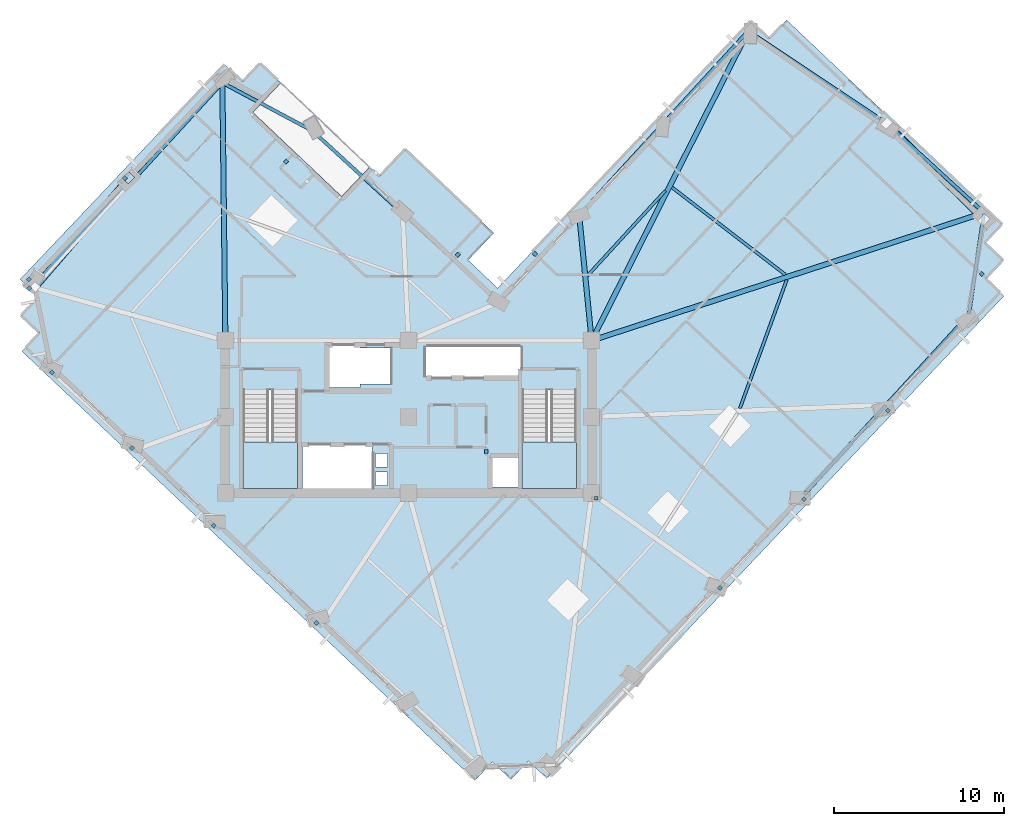
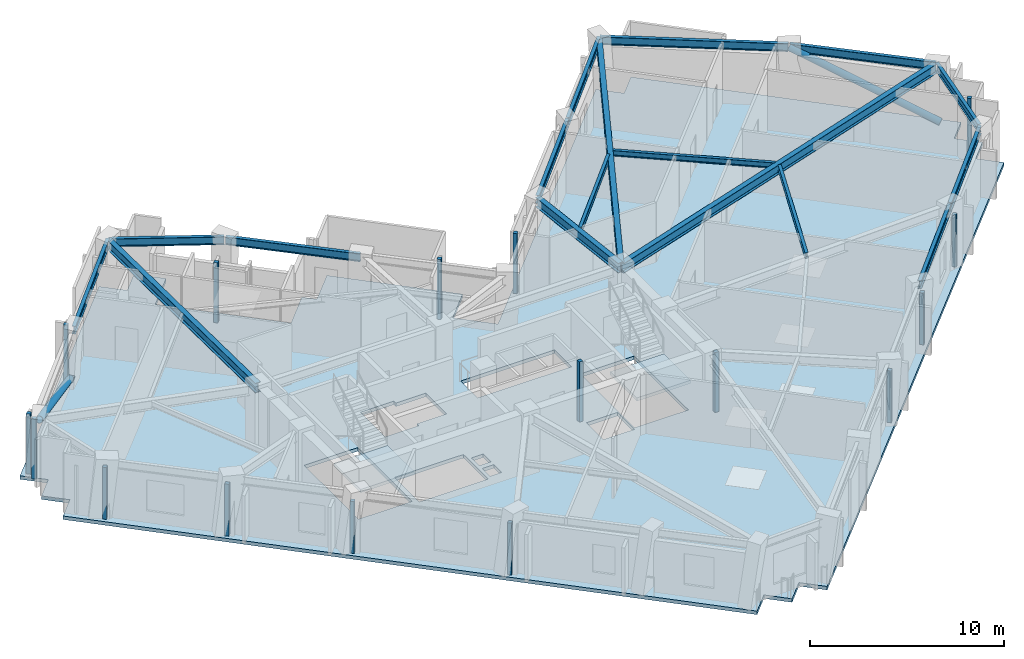
# One storey, part 2 of 12: 17 beams, 17 plates, 3 slabs, 2 members, 2 elements without a shape of their own.
"""IFC4 building model written with IfcOpenShell, lengths in metres."""

from ifc_helpers import new_model, si_unit, direction, frame, origin, origin_2d, place, context, subcontext, project, spatial, polyline, rectangle, hollow_circle, i_section, outline, extrude, material, layer, layer_set, material_profile, profile_set, type_object, element, aggregate, save


model = new_model("IFC4")

# Units and contexts
model_context = context("Model", 3, precision=1e-05, world=origin(), true_north=direction((0.0, 1.0)))
body_context = subcontext(model_context, "Body", "Model", "MODEL_VIEW")
ifc_project = project(units=[si_unit("LENGTHUNIT", "METRE"), si_unit("AREAUNIT", "SQUARE_METRE"), si_unit("VOLUMEUNIT", "CUBIC_METRE"), si_unit("PLANEANGLEUNIT", "RADIAN"), si_unit("MASSUNIT", "GRAM", prefix="KILO")], contexts=[model_context])

# Site, building, storey
site_placement = place(None, origin())
site = spatial("IfcSite", under=ifc_project, at=site_placement, CompositionType="ELEMENT")
building_placement = place(site_placement, origin())
building = spatial("IfcBuilding", under=site, at=building_placement, Name="Gaonmaruhae Medical Tower", CompositionType="ELEMENT")
storey_placement = place(building_placement, frame((0.0, 0.0, 223.199951171875)))
storey = spatial("IfcBuildingStorey", under=building, at=storey_placement, Name="L53", CompositionType="ELEMENT", Elevation=223.199951171875)

# Beams
ifc_material_1 = material(Name="Steel SM355", Category="steel")
ifc_material_profile_1 = material_profile(ifc_material_1, i_section(OverallWidth=0.175048828125, OverallDepth=0.35009765625, WebThickness=0.007080078125, FlangeThickness=0.010986328125, FilletRadius=0.012939453125, at=origin_2d()), Name="H-350x175x7x11")
ifc_profile_set_1 = profile_set([ifc_material_profile_1], Name="Steel SM355")
beam_type_1 = type_object("IfcBeamType", Name="FJ-02 Upper Zone Ward Floor Joist (H-350x175x7x11)", PredefinedType="JOIST", material=ifc_profile_set_1)
beam_1_placement = place(storey_placement, frame((44.34619140625, 12.814208984375, 3.60498046875), z_axis=(0.342453236507, 0.939534874715, 0.0), x_axis=(-0.939534874715, 0.342453236507, 0.0)))
element("IfcBeam", 1, at=beam_1_placement, inside=storey, type_object=beam_type_1, Name="L53 Secondary Floor Joist FJ03", PredefinedType="JOIST", context=body_context, shape_type="SweptSolid", body=[
    extrude(i_section(OverallWidth=0.175048828125, OverallDepth=0.35009765625, WebThickness=0.007080078125, FlangeThickness=0.010986328125, FilletRadius=0.012939453125, at=origin_2d()), origin(), (0.0, 0.0, 1.0), 8.058837890625),
])
beam_2_placement = place(storey_placement, frame((47.0244140625, 20.684814453125, 3.60498046875), z_axis=(-0.792269888643, 0.610170815059, 0.0), x_axis=(-0.610170815059, -0.792269888643, 0.0)))
element("IfcBeam", 2, at=beam_2_placement, inside=storey, type_object=beam_type_1, Name="L53 Secondary Floor Joist FJ04", PredefinedType="JOIST", context=body_context, shape_type="SweptSolid", body=[
    extrude(i_section(OverallWidth=0.175048828125, OverallDepth=0.35009765625, WebThickness=0.007080078125, FlangeThickness=0.010986328125, FilletRadius=0.012939453125, at=origin_2d()), origin(), (0.0, 0.0, 1.0), 8.435791015625),
])
beam_3_placement = place(storey_placement, frame((39.944580078125, 25.633544921875, 3.60498046875), z_axis=(-0.675587386142, -0.737279922204, 0.0), x_axis=(0.737279922204, -0.675587386142, 0.0)))
element("IfcBeam", 3, at=beam_3_placement, inside=storey, type_object=beam_type_1, Name="L53 Secondary Floor Joist FJ05", PredefinedType="JOIST", context=body_context, shape_type="SweptSolid", body=[
    extrude(i_section(OverallWidth=0.175048828125, OverallDepth=0.35009765625, WebThickness=0.007080078125, FlangeThickness=0.010986328125, FilletRadius=0.012939453125, at=origin_2d()), origin(), (0.0, 0.0, 1.0), 6.76708984375),
])

# Members
ifc_material_2 = material(Name="Steel SM420", Category="steel")
ifc_material_profile_2 = material_profile(ifc_material_2, hollow_circle(Radius=0.203125, WallThickness=0.0126953125, at=origin_2d()), Name="CHS-406.4x12.7")
ifc_profile_set_2 = profile_set([ifc_material_profile_2], Name="Steel SM420")
member_type = type_object("IfcMemberType", Name="PB-02 Perimeter Solid-Bay Tube Brace Mid (CHS-406.4x12.7)", PredefinedType="BRACE", material=ifc_profile_set_2)
member_1_placement = place(storey_placement, frame((58.735107421875, 23.923828125, 0.25), z_axis=(-0.658205722235, 0.652130149402, 0.376153553032), x_axis=(-0.703820606843, -0.710377754004, 0.0)))
element("IfcMember", 4, at=member_1_placement, inside=storey, type_object=member_type, Name="L53 Perimeter Tube Solid-Bay Brace E01-E02", PredefinedType="BRACE", context=body_context, shape_type="SweptSolid", body=[
    extrude(hollow_circle(Radius=0.203125, WallThickness=0.0126953125, at=origin_2d()), origin(), (0.0, 0.0, 1.0), 8.719970703125),
])
member_2_placement = place(storey_placement, frame((8.30419921875, 26.379150390625, 0.25), z_axis=(-0.608731032906, -0.707532268848, 0.358949325276), x_axis=(0.758051025825, -0.652195248561, 0.0)))
element("IfcMember", 5, at=member_2_placement, inside=storey, type_object=member_type, Name="L53 Perimeter Tube Solid-Bay Brace N02-N03", PredefinedType="BRACE", context=body_context, shape_type="SweptSolid", body=[
    extrude(hollow_circle(Radius=0.203125, WallThickness=0.0126953125, at=origin_2d()), origin(), (0.0, 0.0, 1.0), 9.137939453125),
])

# Beams
ifc_material_profile_3 = material_profile(ifc_material_2, i_section(OverallWidth=0.300048828125, OverallDepth=0.60009765625, WebThickness=0.011962890625, FlangeThickness=0.02001953125, FilletRadius=0.012939453125, at=origin_2d()), Name="H-600x300x12x20")
ifc_profile_set_3 = profile_set([ifc_material_profile_3], Name="Steel SM420")
beam_type_2 = type_object("IfcBeamType", Name="PG-04 Zone 4 Radial Floor Girder (H-600x300x12x20)", PredefinedType="BEAM", material=ifc_profile_set_3)
beam_4_placement = place(storey_placement, frame((35.6474609375, 16.8154296875, 3.47998046875), z_axis=(0.950814332429, 0.30976136823, 0.0), x_axis=(-0.30976136823, 0.950814332429, 0.0)))
element("IfcBeam", 6, at=beam_4_placement, inside=storey, type_object=beam_type_2, Name="L53 Radial Primary Girder E01", PredefinedType="BEAM", context=body_context, shape_type="SweptSolid", body=[
    extrude(i_section(OverallWidth=0.300048828125, OverallDepth=0.60009765625, WebThickness=0.011962890625, FlangeThickness=0.02001953125, FilletRadius=0.012939453125, at=origin_2d()), origin(), (0.0, 0.0, 1.0), 24.24365234375),
])
beam_5_placement = place(storey_placement, frame((35.62255859375, 16.8447265625, 3.47998046875), z_axis=(0.451180989153, 0.89243247085, 0.0), x_axis=(-0.89243247085, 0.451180989153, 0.0)))
element("IfcBeam", 7, at=beam_5_placement, inside=storey, type_object=beam_type_2, Name="L53 Radial Primary Girder E03", PredefinedType="BEAM", context=body_context, shape_type="SweptSolid", body=[
    extrude(i_section(OverallWidth=0.300048828125, OverallDepth=0.60009765625, WebThickness=0.011962890625, FlangeThickness=0.02001953125, FilletRadius=0.012939453125, at=origin_2d()), origin(), (0.0, 0.0, 1.0), 20.3583984375),
])
beam_6_placement = place(storey_placement, frame((35.594970703125, 16.849853515625, 3.47998046875), z_axis=(-0.098968679888, 0.995090548845, 0.0), x_axis=(-0.995090548845, -0.098968679888, 0.0)))
element("IfcBeam", 8, at=beam_6_placement, inside=storey, type_object=beam_type_2, Name="L53 Radial Primary Girder EN02", PredefinedType="BEAM", context=body_context, shape_type="SweptSolid", body=[
    extrude(i_section(OverallWidth=0.300048828125, OverallDepth=0.60009765625, WebThickness=0.011962890625, FlangeThickness=0.02001953125, FilletRadius=0.012939453125, at=origin_2d()), origin(), (0.0, 0.0, 1.0), 7.319091796875),
])
beam_7_placement = place(storey_placement, frame((13.99951171875, 16.85009765625, 3.47998046875), z_axis=(-0.011749633355, 0.999930970675, 0.0), x_axis=(-0.999930970675, -0.011749633355, 0.0)))
element("IfcBeam", 9, at=beam_7_placement, inside=storey, type_object=beam_type_2, Name="L53 Radial Primary Girder N01", PredefinedType="BEAM", context=body_context, shape_type="SweptSolid", body=[
    extrude(i_section(OverallWidth=0.300048828125, OverallDepth=0.60009765625, WebThickness=0.011962890625, FlangeThickness=0.02001953125, FilletRadius=0.012939453125, at=origin_2d()), origin(), (0.0, 0.0, 1.0), 15.10595703125),
])
ifc_material_profile_4 = material_profile(ifc_material_1, i_section(OverallWidth=0.199951171875, OverallDepth=0.5, WebThickness=0.010009765625, FlangeThickness=0.01611328125, FilletRadius=0.012939453125, at=origin_2d()), Name="H-500x200x10x16")
ifc_profile_set_4 = profile_set([ifc_material_profile_4], Name="Steel SM355")
beam_type_3 = type_object("IfcBeamType", Name="SP-02 Upper Perimeter Spandrel Beam (H-500x200x10x16)", PredefinedType="SPANDREL", material=ifc_profile_set_4)
for number, where, z_axis, x_axis, name in (
    (10, (48.139892578125, 7.733154296875, 3.530029296875), (0.675572446215, 0.737293611741, 0.0), (-0.737293611741, 0.675572446215, 0.0), "L53 Perimeter Spandrel Beam S04-S05"),
    (11, (53.004150390625, 13.041748046875, 3.530029296875), (0.675589525921, 0.737277961467, 0.0), (-0.737277961467, 0.675589525921, 0.0), "L53 Perimeter Spandrel Beam S05-S06"),
):
    element("IfcBeam", number, at=place(storey_placement, frame(where, z_axis=z_axis, x_axis=x_axis)), inside=storey, type_object=beam_type_3, Name=name, PredefinedType="SPANDREL", context=body_context, shape_type="SweptSolid", body=[
        extrude(i_section(OverallWidth=0.199951171875, OverallDepth=0.5, WebThickness=0.010009765625, FlangeThickness=0.01611328125, FilletRadius=0.012939453125, at=origin_2d()), origin(), (0.0, 0.0, 1.0), 7.119873046875),
    ])
beam_8_placement = place(storey_placement, frame((57.84716796875, 18.360107421875, 3.530029296875), z_axis=(0.148648448821, 0.988890104442, 0.0), x_axis=(-0.988890104442, 0.148648448821, 0.0)))
element("IfcBeam", 12, at=beam_8_placement, inside=storey, type_object=beam_type_3, Name="L53 Perimeter Spandrel Beam S06-E01", PredefinedType="SPANDREL", context=body_context, shape_type="SweptSolid", body=[
    extrude(i_section(OverallWidth=0.199951171875, OverallDepth=0.5, WebThickness=0.010009765625, FlangeThickness=0.01611328125, FilletRadius=0.012939453125, at=origin_2d()), origin(), (0.0, 0.0, 1.0), 6.0078125),
])
beam_9_placement = place(storey_placement, frame((58.716796875, 24.367919921875, 3.530029296875), z_axis=(-0.737298522995, 0.675567086224, 0.0), x_axis=(-0.675567086224, -0.737298522995, 0.0)))
element("IfcBeam", 13, at=beam_9_placement, inside=storey, type_object=beam_type_3, Name="L53 Perimeter Spandrel Beam E01-E02", PredefinedType="SPANDREL", context=body_context, shape_type="SweptSolid", body=[
    extrude(i_section(OverallWidth=0.199951171875, OverallDepth=0.5, WebThickness=0.010009765625, FlangeThickness=0.01611328125, FilletRadius=0.012939453125, at=origin_2d()), origin(), (0.0, 0.0, 1.0), 7.719970703125),
])
beam_10_placement = place(storey_placement, frame((52.962158203125, 29.632568359375, 3.530029296875), z_axis=(-0.831865055977, 0.554977953296, 0.0), x_axis=(-0.554977953296, -0.831865055977, 0.0)))
element("IfcBeam", 14, at=beam_10_placement, inside=storey, type_object=beam_type_3, Name="L53 Perimeter Spandrel Beam E02-E03", PredefinedType="SPANDREL", context=body_context, shape_type="SweptSolid", body=[
    extrude(i_section(OverallWidth=0.199951171875, OverallDepth=0.5, WebThickness=0.010009765625, FlangeThickness=0.01611328125, FilletRadius=0.012939453125, at=origin_2d()), origin(), (0.0, 0.0, 1.0), 9.735107421875),
])
beam_11_placement = place(storey_placement, frame((44.803466796875, 35.0283203125, 3.530029296875), z_axis=(-0.67558105913, -0.737285719748, 0.0), x_axis=(0.737285719748, -0.67558105913, 0.0)))
element("IfcBeam", 15, at=beam_11_placement, inside=storey, type_object=beam_type_3, Name="L53 Perimeter Spandrel Beam E03-EN01", PredefinedType="SPANDREL", context=body_context, shape_type="SweptSolid", body=[
    extrude(i_section(OverallWidth=0.199951171875, OverallDepth=0.5, WebThickness=0.010009765625, FlangeThickness=0.01611328125, FilletRadius=0.012939453125, at=origin_2d()), origin(), (0.0, 0.0, 1.0), 7.469970703125),
])
for number, where, z_axis, x_axis, name in (
    (16, (39.702880859375, 29.461669921875, 3.530029296875), (-0.67560816481, -0.737260881671, 0.0), (0.737260881671, -0.67560816481, 0.0), "L53 Perimeter Spandrel Beam EN01-EN02"),
    (17, (24.4267578125, 24.321533203125, 3.510009765625), (-0.737260881671, 0.67560816481, 0.0), (-0.67560816481, -0.737260881671, 0.0), "L53 Perimeter Spandrel Beam NE01-NE02"),
):
    element("IfcBeam", number, at=place(storey_placement, frame(where, z_axis=z_axis, x_axis=x_axis)), inside=storey, type_object=beam_type_3, Name=name, PredefinedType="SPANDREL", context=body_context, shape_type="SweptSolid", body=[
        extrude(i_section(OverallWidth=0.199951171875, OverallDepth=0.5, WebThickness=0.010009765625, FlangeThickness=0.01611328125, FilletRadius=0.012939453125, at=origin_2d()), origin(), (0.0, 0.0, 1.0), 7.119873046875),
    ])
beam_12_placement = place(storey_placement, frame((19.112548828125, 29.177734375, 3.510009765625), z_axis=(-0.881971601585, 0.471302550383, 0.0), x_axis=(-0.471302550383, -0.881971601585, 0.0)))
element("IfcBeam", 18, at=beam_12_placement, inside=storey, type_object=beam_type_3, Name="L53 Perimeter Spandrel Beam NE02-N01", PredefinedType="SPANDREL", context=body_context, shape_type="SweptSolid", body=[
    extrude(i_section(OverallWidth=0.199951171875, OverallDepth=0.5, WebThickness=0.010009765625, FlangeThickness=0.01611328125, FilletRadius=0.012939453125, at=origin_2d()), origin(), (0.0, 0.0, 1.0), 5.959228515625),
])
beam_13_placement = place(storey_placement, frame((13.79443359375, 31.9755859375, 3.530029296875), z_axis=(-0.675600721115, -0.737267702825, 0.0), x_axis=(0.737267702825, -0.675600721115, 0.0)))
element("IfcBeam", 19, at=beam_13_placement, inside=storey, type_object=beam_type_3, Name="L53 Perimeter Spandrel Beam N01-N02", PredefinedType="SPANDREL", context=body_context, shape_type="SweptSolid", body=[
    extrude(i_section(OverallWidth=0.199951171875, OverallDepth=0.5, WebThickness=0.010009765625, FlangeThickness=0.01611328125, FilletRadius=0.012939453125, at=origin_2d()), origin(), (0.0, 0.0, 1.0), 8.119873046875),
])

# Slab
ifc_material_3 = material(Name="Concrete C40/50", Category="concrete")
ifc_layer_1 = layer(ifc_material_3, 0.219970703125)
ifc_layer_set_1 = layer_set([ifc_layer_1], Name="Concrete C40/50")
slab_type_1 = type_object("IfcSlabType", Name="FS-220 Clinical Ward Composite Floor Slab", PredefinedType="FLOOR", material=ifc_layer_set_1)
slab_1_placement = place(storey_placement, frame((0.0, 0.0, -0.219970703125)))
element("IfcSlab", 20, at=slab_1_placement, inside=storey, type_object=slab_type_1, Name="L53 Structural Slab 1", PredefinedType="FLOOR", context=body_context, shape_type="SweptSolid", body=[
    extrude(outline(polyline([(44.97802734375, 35.647705078125), (46.06689453125, 34.615966796875), (47.098388671875, 35.705078125), (59.802978515625, 23.669921875), (58.771484375, 22.580810546875), (59.860595703125, 21.54931640625), (58.828857421875, 20.46044921875), (59.91796875, 19.4287109375), (32.959228515625, -9.029296875), (31.8701171875, -7.997802734375), (30.838623046875, -9.0869140625), (29.749755859375, -8.05517578125), (28.718017578125, -9.144287109375), (2.002197265625, 16.1640625), (3.03369140625, 17.2529296875), (1.94482421875, 18.284423828125), (2.976318359375, 19.37353515625), (1.887451171875, 20.405029296875), (13.922607421875, 33.109619140625), (15.01171875, 32.077880859375), (16.043212890625, 33.1669921875), (17.27734375, 31.997802734375), (15.626708984375, 30.255615234375), (20.853759765625, 25.303955078125), (22.50439453125, 27.04638671875), (23.085205078125, 26.49609375), (24.59814453125, 28.09326171875), (29.8251953125, 23.1416015625), (28.31201171875, 21.54443359375), (30.054443359375, 19.89404296875), (44.97802734375, 35.647705078125)]), holes=[polyline([(23.550048828125, 8.25), (22.85009765625, 8.25), (22.85009765625, 9.050048828125), (23.550048828125, 9.050048828125), (23.550048828125, 8.25)]), polyline([(31.425048828125, 9.925048828125), (31.425048828125, 8.175048828125), (29.574951171875, 8.175048828125), (29.574951171875, 9.925048828125), (31.425048828125, 9.925048828125)]), polyline([(22.64990234375, 10.625), (22.64990234375, 8.074951171875), (18.550048828125, 8.074951171875), (18.550048828125, 10.625), (22.64990234375, 10.625)]), polyline([(23.550048828125, 9.35009765625), (22.85009765625, 9.35009765625), (22.85009765625, 10.14990234375), (23.550048828125, 10.14990234375), (23.550048828125, 9.35009765625)]), polyline([(15.050048828125, 13.889892578125), (18.25, 13.889892578125), (18.25, 8.300048828125), (15.050048828125, 8.300048828125), (15.050048828125, 13.889892578125)]), polyline([(31.5, 13.889892578125), (34.699951171875, 13.889892578125), (34.699951171875, 8.300048828125), (31.5, 8.300048828125), (31.5, 13.889892578125)]), polyline([(21.949951171875, 14.22509765625), (21.949951171875, 14.02490234375), (19.949951171875, 14.02490234375), (19.949951171875, 16.574951171875), (21.949951171875, 16.574951171875), (21.949951171875, 16.375), (23.72509765625, 16.375), (23.72509765625, 14.22509765625), (21.949951171875, 14.22509765625)]), polyline([(31.425048828125, 16.425048828125), (31.425048828125, 14.675048828125), (25.824951171875, 14.675048828125), (25.824951171875, 16.425048828125), (31.425048828125, 16.425048828125)])]), origin(), (0.0, 0.0, 1.0), 0.219970703125),
])

# Plates
ifc_material_4 = material(Name="Steel HSA650 (650 MPa)", Category="steel")
ifc_layer_2 = layer(ifc_material_4, 0.028076171875)
ifc_layer_set_2 = layer_set([ifc_layer_2], Name="Steel HSA650 (650 MPa)")
plate_type_1 = type_object("IfcPlateType", Name="GP-02 Tube Brace End Cap Gusset Plate", PredefinedType="USERDEFINED", material=ifc_layer_set_2)
plate_1_placement = place(storey_placement, frame((8.30419921875, 26.379150390625, 0.23583984375), z_axis=(0.0, 0.0, 1.0), x_axis=(0.687721305114, 0.725974797422, 0.0)))
element("IfcPlate", 21, at=plate_1_placement, inside=storey, type_object=plate_type_1, Name="L53 Gusset Cap Plate PLT-L53-PBR-N02A", ObjectType="GUSSET_PLATE", PredefinedType="USERDEFINED", context=body_context, shape_type="SweptSolid", body=[
    extrude(rectangle(XDim=0.56005859375, YDim=0.43994140625, at=origin_2d()), origin(), (0.0, 0.0, 1.0), 0.028076171875),
])
ifc_material_5 = material(Name="Anodised aluminium 6063-T6", Category="aluminium")
ifc_layer_3 = layer(ifc_material_5, 0.011962890625)
ifc_layer_set_3 = layer_set([ifc_layer_3], Name="Anodised aluminium 6063-T6")
plate_type_2 = type_object("IfcPlateType", Name="PP-01 Interior Partition Corner Stiffener Plate", PredefinedType="SHEET", material=ifc_layer_set_3)
plate_2_placement = place(storey_placement, frame((29.3798828125, 10.260009765625, 0.0), z_axis=(0.0, 0.0, 1.0), x_axis=(0.0, -1.0, 0.0)))
element("IfcPlate", 22, at=plate_2_placement, inside=storey, type_object=plate_type_2, Name="L53 Partition Corner Stiffener Plate PLT-L53-JGP-PW002", PredefinedType="SHEET", context=body_context, shape_type="SweptSolid", body=[
    extrude(rectangle(XDim=0.219970703125, YDim=0.219970703125, at=origin_2d()), origin(), (0.0, 0.0, 1.0), 3.780029296875),
])
plate_3_placement = place(storey_placement, frame((43.169921875, 2.214599609375, 0.0), z_axis=(0.0, 0.0, 1.0), x_axis=(-0.688240625662, -0.725482488547, 0.0)))
element("IfcPlate", 23, at=plate_3_placement, inside=storey, type_object=plate_type_2, Name="L53 Partition Corner Stiffener Plate PLT-L53-JGP-PW014", PredefinedType="SHEET", context=body_context, shape_type="SweptSolid", body=[
    extrude(rectangle(XDim=0.219970703125, YDim=0.219970703125, at=origin_2d()), origin(), (0.0, 0.0, 1.0), 3.264892578125),
])
plate_4_placement = place(storey_placement, frame((35.875, 7.5, 0.0), z_axis=(0.0, 0.0, 1.0), x_axis=(1.0, 0.0, 0.0)))
element("IfcPlate", 24, at=plate_4_placement, inside=storey, type_object=plate_type_2, Name="L53 Partition Corner Stiffener Plate PLT-L53-JGP-PW015", PredefinedType="SHEET", context=body_context, shape_type="SweptSolid", body=[
    extrude(rectangle(XDim=0.219970703125, YDim=0.219970703125, at=origin_2d()), origin(), (0.0, 0.0, 1.0), 3.780029296875),
])
for number, where, z_axis, x_axis, name in (
    (25, (48.12109375, 7.44091796875, 0.0), (0.0, 0.0, 1.0), (-0.687949342882, -0.72575870758, 0.0), "L53 Partition Corner Stiffener Plate PLT-L53-JGP-PW019"),
    (26, (53.072998046875, 12.66748046875, 0.0), (0.0, 0.0, 1.0), (-0.687252347681, -0.726418757059, 0.0), "L53 Partition Corner Stiffener Plate PLT-L53-JGP-PW022"),
):
    element("IfcPlate", number, at=place(storey_placement, frame(where, z_axis=z_axis, x_axis=x_axis)), inside=storey, type_object=plate_type_2, Name=name, PredefinedType="SHEET", context=body_context, shape_type="SweptSolid", body=[
        extrude(rectangle(XDim=0.219970703125, YDim=0.219970703125, at=origin_2d()), origin(), (0.0, 0.0, 1.0), 3.264892578125),
    ])
plate_5_placement = place(storey_placement, frame((58.60595703125, 20.7255859375, 0.0), z_axis=(0.0, 0.0, 1.0), x_axis=(0.726454740512, -0.687214311542, 0.0)))
element("IfcPlate", 27, at=plate_5_placement, inside=storey, type_object=plate_type_2, Name="L53 Partition Corner Stiffener Plate PLT-L53-JGP-PW026", PredefinedType="SHEET", context=body_context, shape_type="SweptSolid", body=[
    extrude(rectangle(XDim=0.219970703125, YDim=0.219970703125, at=origin_2d()), origin(), (0.0, 0.0, 1.0), 3.780029296875),
])
for number, where, z_axis, x_axis, name in (
    (28, (19.375, 0.1474609375, 0.0), (0.0, 0.0, 1.0), (-0.726514708508, 0.687150913789, 0.0), "L53 Partition Corner Stiffener Plate PLT-L53-JGP-PW028"),
    (29, (13.3134765625, 5.889404296875, 0.0), (0.0, 0.0, 1.0), (-0.725722685642, 0.687987342576, 0.0), "L53 Partition Corner Stiffener Plate PLT-L53-JGP-PW031"),
    (30, (8.486083984375, 10.46240234375, 0.0), (0.0, 0.0, 1.0), (-0.725386384956, 0.688341915418, 0.0), "L53 Partition Corner Stiffener Plate PLT-L53-JGP-PW036"),
    (31, (3.777099609375, 14.924560546875, 0.0), (0.0, 0.0, 1.0), (-0.726598654407, 0.687062148145, 0.0), "L53 Partition Corner Stiffener Plate PLT-L53-JGP-PW037"),
):
    element("IfcPlate", number, at=place(storey_placement, frame(where, z_axis=z_axis, x_axis=x_axis)), inside=storey, type_object=plate_type_2, Name=name, PredefinedType="SHEET", context=body_context, shape_type="SweptSolid", body=[
        extrude(rectangle(XDim=0.219970703125, YDim=0.219970703125, at=origin_2d()), origin(), (0.0, 0.0, 1.0), 3.264892578125),
    ])
for number, where, z_axis, x_axis, name in (
    (32, (2.435546875, 19.885498046875, 0.0), (0.0, 0.0, 1.0), (-0.725494500501, 0.688227963499, 0.0), "L53 Partition Corner Stiffener Plate PLT-L53-JGP-PW042"),
    (33, (2.41455078125, 20.409423828125, 0.0), (0.0, 0.0, 1.0), (0.687708634359, 0.725986800313, 0.0), "L53 Partition Corner Stiffener Plate PLT-L53-JGP-PW043"),
    (34, (8.071044921875, 26.37939453125, 0.0), (0.0, 0.0, 1.0), (0.687442500113, 0.726238809923, 0.0), "L53 Partition Corner Stiffener Plate PLT-L53-JGP-PW044"),
    (35, (32.261962890625, 21.907470703125, 0.0), (0.0, 0.0, 1.0), (-0.726370776024, 0.687303059602, 0.0), "L53 Partition Corner Stiffener Plate PLT-L53-JGP-PW055"),
    (36, (27.700439453125, 21.85888671875, 0.0), (0.0, 0.0, 1.0), (-0.687226990464, -0.726442746249, 0.0), "L53 Partition Corner Stiffener Plate PLT-L53-JGP-PW067"),
    (37, (17.5830078125, 27.35205078125, 0.0), (0.0, 0.0, 1.0), (-0.687898673689, -0.725806733736, 0.0), "L53 Partition Corner Stiffener Plate PLT-L53-JGP-PW074"),
):
    element("IfcPlate", number, at=place(storey_placement, frame(where, z_axis=z_axis, x_axis=x_axis)), inside=storey, type_object=plate_type_2, Name=name, PredefinedType="SHEET", context=body_context, shape_type="SweptSolid", body=[
        extrude(rectangle(XDim=0.219970703125, YDim=0.219970703125, at=origin_2d()), origin(), (0.0, 0.0, 1.0), 3.780029296875),
    ])

# Stair, slab
stair_type = type_object("IfcStairType", Name="ST-T1 Primary Core Escape Dogleg Stair", PredefinedType="TWO_QUARTER_TURN_STAIR", material=ifc_material_3)
stair_1_placement = place(storey_placement, origin())
stair_1 = element("IfcStair", 38, at=stair_1_placement, inside=storey, type_object=stair_type, Name="L53 Protected Escape Stair ST-01", PredefinedType="TWO_QUARTER_TURN_STAIR")
ifc_layer_4 = layer(ifc_material_3, 0.199951171875)
ifc_layer_set_4 = layer_set([ifc_layer_4], Name="Concrete C40/50")
slab_type_2 = type_object("IfcSlabType", Name="SL-200 Stair & Ramp Intermediate Concrete Landing", PredefinedType="LANDING", material=ifc_layer_set_4)
slab_2_placement = place(storey_placement, frame((0.0, 0.0, 1.800048828125)))
slab_2 = element("IfcSlab", 39, at=slab_2_placement, type_object=slab_type_2, Name="ST-01 landing 1", PredefinedType="LANDING", context=body_context, shape_type="SweptSolid", body=[
    extrude(outline(polyline([(15.050048828125, 10.820068359375), (15.050048828125, 8.0791015625), (18.25, 8.0791015625), (18.25, 10.820068359375), (15.050048828125, 10.820068359375)])), origin(), (0.0, 0.0, 1.0), 0.199951171875),
])
aggregate(stair_1, [slab_2])

stair_2_placement = place(storey_placement, origin())
stair_2 = element("IfcStair", 40, at=stair_2_placement, inside=storey, type_object=stair_type, Name="L53 Protected Escape Stair ST-02", PredefinedType="TWO_QUARTER_TURN_STAIR")
slab_3_placement = place(storey_placement, frame((0.0, 0.0, 1.800048828125)))
slab_3 = element("IfcSlab", 41, at=slab_3_placement, type_object=slab_type_2, Name="ST-02 landing 1", PredefinedType="LANDING", context=body_context, shape_type="SweptSolid", body=[
    extrude(outline(polyline([(31.5, 10.820068359375), (31.5, 8.0791015625), (34.699951171875, 8.0791015625), (34.699951171875, 10.820068359375), (31.5, 10.820068359375)])), origin(), (0.0, 0.0, 1.0), 0.199951171875),
])
aggregate(stair_2, [slab_3])

save(model, "model.ifc")
